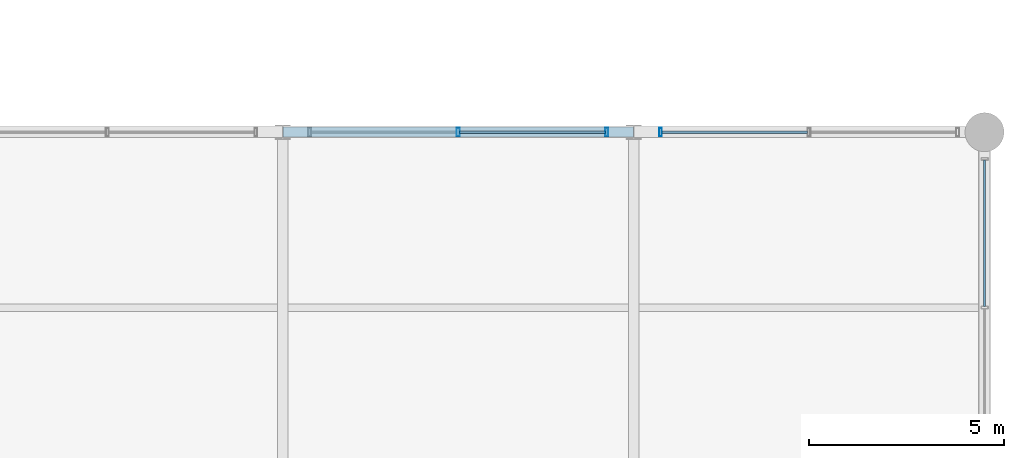
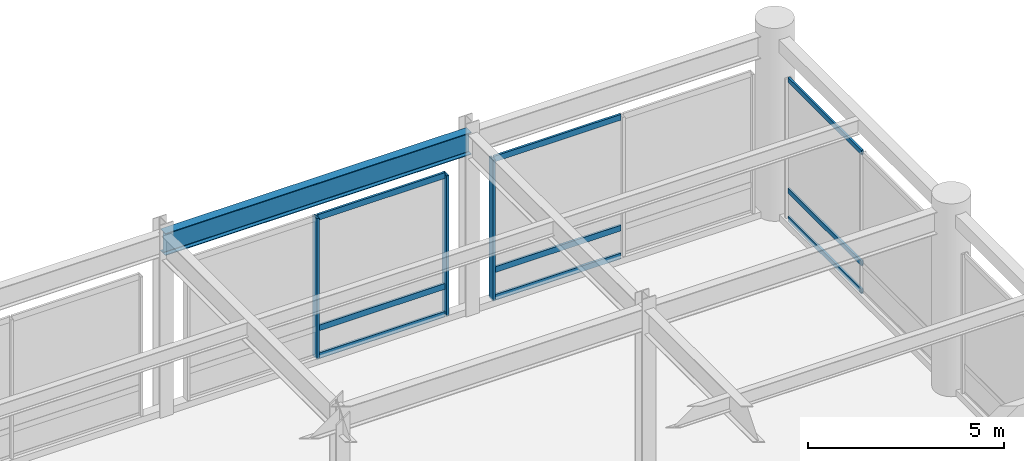
# One storey, part 64 of 108: 12 members, 1 beam, 3 elements without a shape of their own.
"""IFC4 building model written with IfcOpenShell, lengths in metres."""

from ifc_helpers import new_model, si_unit, direction, frame, origin, origin_2d, place, context, subcontext, project, spatial, hollow_rectangle, i_section, extrude, material, material_profile, profile_set, type_object, element, aggregate, save


model = new_model("IFC4")

# Units and contexts
model_context = context("Model", 3, precision=1e-05, world=origin(), true_north=direction((0.0, 1.0)))
body_context = subcontext(model_context, "Body", "Model", "MODEL_VIEW")
ifc_project = project(units=[si_unit("LENGTHUNIT", "METRE"), si_unit("AREAUNIT", "SQUARE_METRE"), si_unit("VOLUMEUNIT", "CUBIC_METRE"), si_unit("PLANEANGLEUNIT", "RADIAN"), si_unit("MASSUNIT", "GRAM", prefix="KILO")], contexts=[model_context])

# Site, building, storey
site_placement = place(None, origin())
site = spatial("IfcSite", under=ifc_project, at=site_placement, CompositionType="ELEMENT")
building_placement = place(site_placement, origin())
building = spatial("IfcBuilding", under=site, at=building_placement, Name="Kaldorvane Square Convention Centre", CompositionType="ELEMENT")
storey_placement = place(building_placement, frame((0.0, 0.0, 12.0)))
storey = spatial("IfcBuildingStorey", under=building, at=storey_placement, Name="L02", CompositionType="ELEMENT", Elevation=12.0)

# Beam
ifc_material_1 = material(Name="Steel ASTM A992 Gr. 50", Category="steel")
ifc_material_profile_1 = material_profile(ifc_material_1, i_section(OverallWidth=0.25439453125, OverallDepth=0.6880950927734375, WebThickness=0.0131072998046875, FlangeThickness=0.0211029052734375, FilletRadius=0.01519775390625, at=origin_2d()), Name="W27X102")
ifc_profile_set_1 = profile_set([ifc_material_profile_1], Name="Steel ASTM A992 Gr. 50")
beam_type = type_object("IfcBeamType", Name="BM-GR-W27X102", PredefinedType="BEAM", material=ifc_profile_set_1)
beam_placement = place(storey_placement, frame((156.0, 36.0, 5.3018951416015625), z_axis=(1.0, 0.0, 0.0), x_axis=(0.0, 1.0, 0.0)))
element("IfcBeam", 1, at=beam_placement, inside=storey, type_object=beam_type, Name="Primary Girder (L02)", PredefinedType="BEAM", context=body_context, shape_type="SweptSolid", body=[
    extrude(i_section(OverallWidth=0.25439453125, OverallDepth=0.6880950927734375, WebThickness=0.0131072998046875, FlangeThickness=0.0211029052734375, FilletRadius=0.01519775390625, at=origin_2d()), origin(), (0.0, 0.0, 1.0), 9.0),
])

# Curtain wall, members
ifc_material_2 = material(Name="Anodized Aluminum and Low-E Insulated Glazing", Category="aluminium")
curtain_wall_type_1 = type_object("IfcCurtainWallType", Name="CW-PTS-FC-60", PredefinedType="USERDEFINED", material=ifc_material_2)
curtain_wall_1_placement = place(storey_placement, origin())
curtain_wall_1 = element("IfcCurtainWall", 2, at=curtain_wall_1_placement, inside=storey, type_object=curtain_wall_type_1, Name="Curtain Wall CW-07 (L02)", ObjectType="POINT SUPPORTED GLAZING", PredefinedType="USERDEFINED")
ifc_material_profile_2 = material_profile(ifc_material_2, hollow_rectangle(XDim=0.0749969482421875, YDim=0.220001220703125, WallThickness=0.003997802734375, at=origin_2d()), Name="CWM-220X75")
ifc_profile_set_2 = profile_set([ifc_material_profile_2], Name="Anodized Aluminum and Low-E Insulated Glazing")
member_type_1 = type_object("IfcMemberType", Name="CW-MUL-220", PredefinedType="MULLION", material=ifc_profile_set_2)
member_1_placement = place(storey_placement, frame((164.3125, 36.0, 0.149993896484375), z_axis=(0.0, 0.0, 1.0), x_axis=(-1.0, 0.0, 0.0)))
member_1 = element("IfcMember", 3, at=member_1_placement, type_object=member_type_1, Name="CW-07 mullion 1", PredefinedType="MULLION", context=body_context, shape_type="SweptSolid", body=[
    extrude(hollow_rectangle(XDim=0.0749969482421875, YDim=0.220001220703125, WallThickness=0.003997802734375, at=origin_2d()), origin(), (0.0, 0.0, 1.0), 4.3800048828125),
])
member_2_placement = place(storey_placement, frame((160.5, 36.0, 0.149993896484375), z_axis=(0.0, 0.0, 1.0), x_axis=(-1.0, 0.0, 0.0)))
member_2 = element("IfcMember", 4, at=member_2_placement, type_object=member_type_1, Name="CW-07 mullion 2", PredefinedType="MULLION", context=body_context, shape_type="SweptSolid", body=[
    extrude(hollow_rectangle(XDim=0.0749969482421875, YDim=0.220001220703125, WallThickness=0.003997802734375, at=origin_2d()), origin(), (0.0, 0.0, 1.0), 4.3800048828125),
])

# Curtain wall, member
curtain_wall_2_placement = place(storey_placement, origin())
curtain_wall_2 = element("IfcCurtainWall", 5, at=curtain_wall_2_placement, inside=storey, type_object=curtain_wall_type_1, Name="Curtain Wall CW-07 (L02)", ObjectType="POINT SUPPORTED GLAZING", PredefinedType="USERDEFINED")
member_3_placement = place(storey_placement, frame((165.6875, 36.0, 0.149993896484375), z_axis=(0.0, 0.0, 1.0), x_axis=(-1.0, 0.0, 0.0)))
member_3 = element("IfcMember", 6, at=member_3_placement, type_object=member_type_1, Name="CW-07 mullion 3", PredefinedType="MULLION", context=body_context, shape_type="SweptSolid", body=[
    extrude(hollow_rectangle(XDim=0.0749969482421875, YDim=0.220001220703125, WallThickness=0.003997802734375, at=origin_2d()), origin(), (0.0, 0.0, 1.0), 4.3800048828125),
])

# Curtain wall, members
curtain_wall_type_2 = type_object("IfcCurtainWallType", Name="CW-UNI-P60-09", PredefinedType="USERDEFINED", material=ifc_material_2)
curtain_wall_3_placement = place(storey_placement, origin())
curtain_wall_3 = element("IfcCurtainWall", 7, at=curtain_wall_3_placement, inside=storey, type_object=curtain_wall_type_2, Name="Curtain Wall CW-02 (L02)", ObjectType="UNITISED GLAZING", PredefinedType="USERDEFINED")
ifc_material_profile_3 = material_profile(ifc_material_2, hollow_rectangle(XDim=0.05999755859375, YDim=0.149993896484375, WallThickness=0.003204345703125, at=origin_2d()), Name="CWT-150X60")
ifc_profile_set_3 = profile_set([ifc_material_profile_3], Name="Anodized Aluminum and Low-E Insulated Glazing")
member_type_2 = type_object("IfcMemberType", Name="CW-TRN-150", PredefinedType="USERDEFINED", material=ifc_profile_set_3)
member_4_placement = place(storey_placement, frame((174.0, 31.532501220703125, 0.17999267578125), z_axis=(0.0, 1.0, 0.0), x_axis=(-1.0, 0.0, 0.0)))
member_4 = element("IfcMember", 8, at=member_4_placement, type_object=member_type_2, Name="CW-02 transom 2.1", ObjectType="TRANSOM", PredefinedType="USERDEFINED", context=body_context, shape_type="SweptSolid", body=[
    extrude(hollow_rectangle(XDim=0.05999755859375, YDim=0.149993896484375, WallThickness=0.003204345703125, at=origin_2d()), origin(), (0.0, 0.0, 1.0), 3.75250244140625),
])
member_5_placement = place(storey_placement, frame((174.0, 31.532501220703125, 1.0500030517578125), z_axis=(0.0, 1.0, 0.0), x_axis=(-1.0, 0.0, 0.0)))
member_5 = element("IfcMember", 9, at=member_5_placement, type_object=member_type_2, Name="CW-02 transom 2.2", ObjectType="TRANSOM", PredefinedType="USERDEFINED", context=body_context, shape_type="SweptSolid", body=[
    extrude(hollow_rectangle(XDim=0.05999755859375, YDim=0.149993896484375, WallThickness=0.003204345703125, at=origin_2d()), origin(), (0.0, 0.0, 1.0), 3.75250244140625),
])
member_6_placement = place(storey_placement, frame((174.0, 31.532501220703125, 4.5), z_axis=(0.0, 1.0, 0.0), x_axis=(-1.0, 0.0, 0.0)))
member_6 = element("IfcMember", 10, at=member_6_placement, type_object=member_type_2, Name="CW-02 transom 2.3", ObjectType="TRANSOM", PredefinedType="USERDEFINED", context=body_context, shape_type="SweptSolid", body=[
    extrude(hollow_rectangle(XDim=0.05999755859375, YDim=0.149993896484375, WallThickness=0.003204345703125, at=origin_2d()), origin(), (0.0, 0.0, 1.0), 3.75250244140625),
])
aggregate(curtain_wall_3, [member_4, member_5, member_6])

# Member
ifc_material_profile_4 = material_profile(ifc_material_2, hollow_rectangle(XDim=0.06500244140625, YDim=0.17999267578125, WallThickness=0.0034942626953125, at=origin_2d()), Name="CWT-180X65")
ifc_profile_set_4 = profile_set([ifc_material_profile_4], Name="Anodized Aluminum and Low-E Insulated Glazing")
member_type_3 = type_object("IfcMemberType", Name="CW-TRN-180", PredefinedType="USERDEFINED", material=ifc_profile_set_4)
member_7_placement = place(storey_placement, frame((164.27499389648438, 36.0, 0.1824951171875), z_axis=(-1.0, 0.0, 0.0), x_axis=(0.0, -1.0, 0.0)))
member_7 = element("IfcMember", 11, at=member_7_placement, type_object=member_type_3, Name="CW-07 transom 1.1", ObjectType="TRANSOM", PredefinedType="USERDEFINED", context=body_context, shape_type="SweptSolid", body=[
    extrude(hollow_rectangle(XDim=0.06500244140625, YDim=0.17999267578125, WallThickness=0.0034942626953125, at=origin_2d()), origin(), (0.0, 0.0, 1.0), 3.73748779296875),
])

member_8_placement = place(storey_placement, frame((164.27499389648438, 36.0, 1.0500030517578125), z_axis=(-1.0, 0.0, 0.0), x_axis=(0.0, -1.0, 0.0)))
member_8 = element("IfcMember", 12, at=member_8_placement, type_object=member_type_3, Name="CW-07 transom 1.2", ObjectType="TRANSOM", PredefinedType="USERDEFINED", context=body_context, shape_type="SweptSolid", body=[
    extrude(hollow_rectangle(XDim=0.06500244140625, YDim=0.17999267578125, WallThickness=0.0034942626953125, at=origin_2d()), origin(), (0.0, 0.0, 1.0), 3.73748779296875),
])

member_9_placement = place(storey_placement, frame((164.27499389648438, 36.0, 4.49749755859375), z_axis=(-1.0, 0.0, 0.0), x_axis=(0.0, -1.0, 0.0)))
member_9 = element("IfcMember", 13, at=member_9_placement, type_object=member_type_3, Name="CW-07 transom 1.3", ObjectType="TRANSOM", PredefinedType="USERDEFINED", context=body_context, shape_type="SweptSolid", body=[
    extrude(hollow_rectangle(XDim=0.06500244140625, YDim=0.17999267578125, WallThickness=0.0034942626953125, at=origin_2d()), origin(), (0.0, 0.0, 1.0), 3.73748779296875),
])

aggregate(curtain_wall_1, [member_1, member_2, member_7, member_8, member_9])

member_10_placement = place(storey_placement, frame((169.46249389648438, 36.0, 0.1824951171875), z_axis=(-1.0, 0.0, 0.0), x_axis=(0.0, -1.0, 0.0)))
member_10 = element("IfcMember", 14, at=member_10_placement, type_object=member_type_3, Name="CW-07 transom 2.1", ObjectType="TRANSOM", PredefinedType="USERDEFINED", context=body_context, shape_type="SweptSolid", body=[
    extrude(hollow_rectangle(XDim=0.06500244140625, YDim=0.17999267578125, WallThickness=0.0034942626953125, at=origin_2d()), origin(), (0.0, 0.0, 1.0), 3.73748779296875),
])

member_11_placement = place(storey_placement, frame((169.46249389648438, 36.0, 1.0500030517578125), z_axis=(-1.0, 0.0, 0.0), x_axis=(0.0, -1.0, 0.0)))
member_11 = element("IfcMember", 15, at=member_11_placement, type_object=member_type_3, Name="CW-07 transom 2.2", ObjectType="TRANSOM", PredefinedType="USERDEFINED", context=body_context, shape_type="SweptSolid", body=[
    extrude(hollow_rectangle(XDim=0.06500244140625, YDim=0.17999267578125, WallThickness=0.0034942626953125, at=origin_2d()), origin(), (0.0, 0.0, 1.0), 3.73748779296875),
])

member_12_placement = place(storey_placement, frame((169.46249389648438, 36.0, 4.49749755859375), z_axis=(-1.0, 0.0, 0.0), x_axis=(0.0, -1.0, 0.0)))
member_12 = element("IfcMember", 16, at=member_12_placement, type_object=member_type_3, Name="CW-07 transom 2.3", ObjectType="TRANSOM", PredefinedType="USERDEFINED", context=body_context, shape_type="SweptSolid", body=[
    extrude(hollow_rectangle(XDim=0.06500244140625, YDim=0.17999267578125, WallThickness=0.0034942626953125, at=origin_2d()), origin(), (0.0, 0.0, 1.0), 3.73748779296875),
])

aggregate(curtain_wall_2, [member_3, member_10, member_11, member_12])

save(model, "model.ifc")
